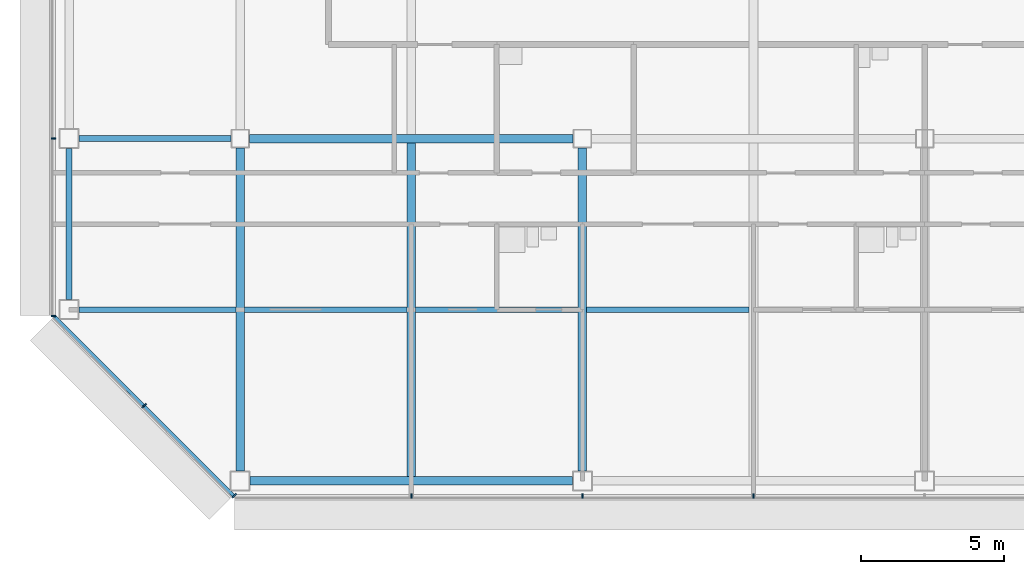
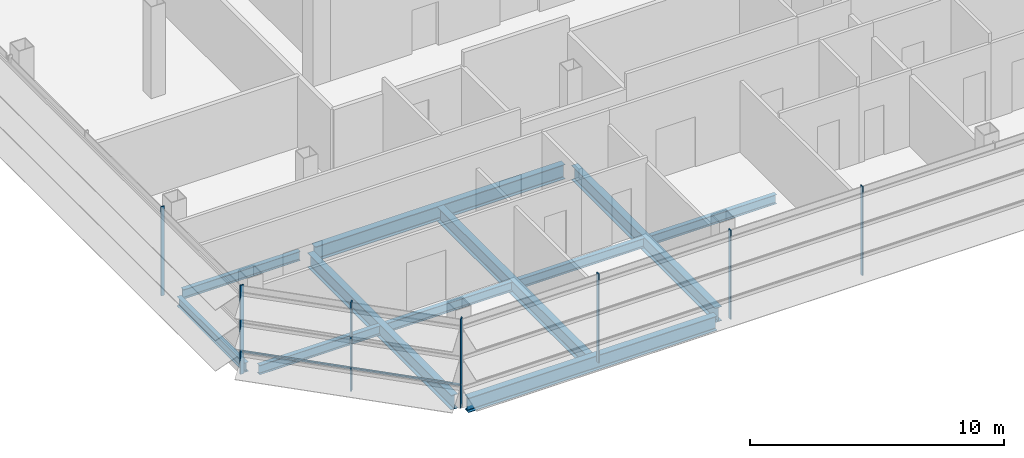
# One storey, part 2 of 26: 11 beams, 8 members, 3 elements without a shape of their own.
"""IFC4 building model written with IfcOpenShell, lengths in metres."""

from ifc_helpers import new_model, si_unit, direction, frame, origin, origin_2d, place, context, subcontext, project, spatial, rectangle, i_section, extrude, material, material_profile, profile_set, type_object, element, aggregate, save


model = new_model("IFC4")

# Units and contexts
model_context = context("Model", 3, precision=1e-05, world=origin(), true_north=direction((0.0, 1.0)))
body_context = subcontext(model_context, "Body", "Model", "MODEL_VIEW")
ifc_project = project(units=[si_unit("LENGTHUNIT", "METRE"), si_unit("AREAUNIT", "SQUARE_METRE"), si_unit("VOLUMEUNIT", "CUBIC_METRE"), si_unit("PLANEANGLEUNIT", "RADIAN"), si_unit("MASSUNIT", "GRAM", prefix="KILO")], contexts=[model_context])

# Site, building, storey
site_placement = place(None, origin())
site = spatial("IfcSite", under=ifc_project, at=site_placement, CompositionType="ELEMENT")
building_placement = place(site_placement, origin())
building = spatial("IfcBuilding", under=site, at=building_placement, Name="Sorahane Residences", CompositionType="ELEMENT")
storey_placement = place(building_placement, frame((0.0, 0.0, 181.60009765625)))
storey = spatial("IfcBuildingStorey", under=building, at=storey_placement, Name="L42", CompositionType="ELEMENT", Elevation=181.60009765625)

# Curtain wall, members
ifc_material_1 = material(Name="Dark low-e glass and black anodised aluminium", Category="aluminium")
curtain_wall_type_1 = type_object("IfcCurtainWallType", Name="Curtain wall CW-1 Typical unitised wall", PredefinedType="NOTDEFINED", material=ifc_material_1)
curtain_wall_1_placement = place(storey_placement, origin())
curtain_wall_1 = element("IfcCurtainWall", 1, at=curtain_wall_1_placement, inside=storey, type_object=curtain_wall_type_1, Name="CW-1 curtain wall L42 S1", PredefinedType="NOTDEFINED")
ifc_material_2 = material(Name="Black anodised aluminium", Category="aluminium")
ifc_material_profile_1 = material_profile(ifc_material_2, rectangle(XDim=0.159912109375, YDim=0.050048828125, at=origin_2d()), Name="Curtain wall mullion CW-1 black anodised aluminium 50x160")
ifc_profile_set_1 = profile_set([ifc_material_profile_1], Name="Black anodised aluminium")
member_type_1 = type_object("IfcMemberType", Name="Curtain wall mullion CW-1 black anodised aluminium 50x160", PredefinedType="MULLION", material=ifc_profile_set_1)
member_1_placement = place(storey_placement, frame((6.0, -0.5400390625, -0.18017578125), z_axis=(0.0, 0.0, 1.0), x_axis=(0.0, -1.0, 0.0)))
member_1 = element("IfcMember", 2, at=member_1_placement, type_object=member_type_1, Name="CW-1 mullion L42 S1.2", PredefinedType="MULLION", context=body_context, shape_type="SweptSolid", body=[
    extrude(rectangle(XDim=0.159912109375, YDim=0.050048828125, at=origin_2d()), origin(), (0.0, 0.0, 1.0), 4.280029296875),
])
member_2_placement = place(storey_placement, frame((12.0, -0.5400390625, -0.18017578125), z_axis=(0.0, 0.0, 1.0), x_axis=(0.0, -1.0, 0.0)))
member_2 = element("IfcMember", 3, at=member_2_placement, type_object=member_type_1, Name="CW-1 mullion L42 S1.3", PredefinedType="MULLION", context=body_context, shape_type="SweptSolid", body=[
    extrude(rectangle(XDim=0.159912109375, YDim=0.050048828125, at=origin_2d()), origin(), (0.0, 0.0, 1.0), 4.280029296875),
])
member_3_placement = place(storey_placement, frame((18.0, -0.5400390625, -0.18017578125), z_axis=(0.0, 0.0, 1.0), x_axis=(0.0, -1.0, 0.0)))
member_3 = element("IfcMember", 4, at=member_3_placement, type_object=member_type_1, Name="CW-1 mullion L42 S1.4", PredefinedType="MULLION", context=body_context, shape_type="SweptSolid", body=[
    extrude(rectangle(XDim=0.159912109375, YDim=0.050048828125, at=origin_2d()), origin(), (0.0, 0.0, 1.0), 4.280029296875),
])
aggregate(curtain_wall_1, [member_1, member_2, member_3])

curtain_wall_2_placement = place(storey_placement, origin())
curtain_wall_2 = element("IfcCurtainWall", 5, at=curtain_wall_2_placement, inside=storey, type_object=curtain_wall_type_1, Name="CW-1 curtain wall L42 W1", PredefinedType="NOTDEFINED")
member_4_placement = place(storey_placement, frame((-6.5400390625, 12.0, -0.18017578125), z_axis=(0.0, 0.0, 1.0), x_axis=(-1.0, 0.0, 0.0)))
member_4 = element("IfcMember", 6, at=member_4_placement, type_object=member_type_1, Name="CW-1 mullion L42 W1.6", PredefinedType="MULLION", context=body_context, shape_type="SweptSolid", body=[
    extrude(rectangle(XDim=0.159912109375, YDim=0.050048828125, at=origin_2d()), origin(), (0.0, 0.0, 1.0), 4.280029296875),
])
member_5_placement = place(storey_placement, frame((-6.5400390625, 5.7763671875, -0.18017578125), z_axis=(0.0, 0.0, 1.0), x_axis=(-1.0, 0.0, 0.0)))
member_5 = element("IfcMember", 7, at=member_5_placement, type_object=member_type_1, Name="CW-1 mullion L42 W1.7", PredefinedType="MULLION", context=body_context, shape_type="SweptSolid", body=[
    extrude(rectangle(XDim=0.159912109375, YDim=0.050048828125, at=origin_2d()), origin(), (0.0, 0.0, 1.0), 4.280029296875),
])
aggregate(curtain_wall_2, [member_4, member_5])

ifc_material_3 = material(Name="Dark low-e glass and black anodised aluminium", Category="aluminium")
curtain_wall_type_2 = type_object("IfcCurtainWallType", Name="Curtain wall CW-2 Chamfer unitised wall", PredefinedType="NOTDEFINED", material=ifc_material_3)
curtain_wall_3_placement = place(storey_placement, origin())
curtain_wall_3 = element("IfcCurtainWall", 8, at=curtain_wall_3_placement, inside=storey, type_object=curtain_wall_type_2, Name="CW-2 curtain wall L42 SW1", PredefinedType="NOTDEFINED")
ifc_material_4 = material(Name="Black anodised aluminium", Category="aluminium")
ifc_material_profile_2 = material_profile(ifc_material_4, rectangle(XDim=0.199951171875, YDim=0.050048828125, at=origin_2d()), Name="Curtain wall mullion CW-2 black anodised aluminium 50x200")
ifc_profile_set_2 = profile_set([ifc_material_profile_2], Name="Black anodised aluminium")
member_type_2 = type_object("IfcMemberType", Name="Curtain wall mullion CW-2 black anodised aluminium 50x200", PredefinedType="MULLION", material=ifc_profile_set_2)
member_6_placement = place(storey_placement, frame((-3.36767578125, 2.63232421875, -0.18017578125), z_axis=(0.0, 0.0, 1.0), x_axis=(-0.707106781187, -0.707106781187, 0.0)))
member_6 = element("IfcMember", 9, at=member_6_placement, type_object=member_type_2, Name="CW-2 mullion L42 SW1.2", PredefinedType="MULLION", context=body_context, shape_type="SweptSolid", body=[
    extrude(rectangle(XDim=0.199951171875, YDim=0.050048828125, at=origin_2d()), origin(), (0.0, 0.0, 1.0), 4.280029296875),
])
member_7_placement = place(storey_placement, frame((-0.209716796875, -0.525634765625, -0.18017578125), z_axis=(0.0, 0.0, 1.0), x_axis=(-0.707106781187, -0.707106781187, 0.0)))
member_7 = element("IfcMember", 10, at=member_7_placement, type_object=member_type_2, Name="CW-2 mullion L42 SW1.3", PredefinedType="MULLION", context=body_context, shape_type="SweptSolid", body=[
    extrude(rectangle(XDim=0.199951171875, YDim=0.050048828125, at=origin_2d()), origin(), (0.0, 0.0, 1.0), 4.280029296875),
])
ifc_material_5 = material(Name="Black anodised aluminium", Category="aluminium")
ifc_material_profile_3 = material_profile(ifc_material_5, rectangle(XDim=0.10009765625, YDim=0.06005859375, at=origin_2d()), Name="Curtain wall transom CW-2 black anodised aluminium 60x100")
ifc_profile_set_3 = profile_set([ifc_material_profile_3], Name="Black anodised aluminium")
member_type_3 = type_object("IfcMemberType", Name="Curtain wall transom CW-2 black anodised aluminium 60x100", PredefinedType="USERDEFINED", material=ifc_profile_set_3)
member_8_placement = place(storey_placement, frame((-6.51513671875, 5.765625, 0.89990234375), z_axis=(0.707106781187, -0.707106781187, 0.0), x_axis=(0.707106781187, 0.707106781187, 0.0)))
member_8 = element("IfcMember", 11, at=member_8_placement, type_object=member_type_3, Name="CW-2 transom L42 SW1", ObjectType="TRANSOM", PredefinedType="USERDEFINED", context=body_context, shape_type="SweptSolid", body=[
    extrude(rectangle(XDim=0.10009765625, YDim=0.06005859375, at=origin_2d()), origin(), (0.0, 0.0, 1.0), 8.88232421875),
])
aggregate(curtain_wall_3, [member_6, member_7, member_8])

# Beams
ifc_material_6 = material(Name="Steel Q355B", Category="steel")
ifc_material_profile_4 = material_profile(ifc_material_6, i_section(OverallWidth=0.199951171875, OverallDepth=0.449951171875, WebThickness=0.009033203125, FlangeThickness=0.013916015625, FilletRadius=0.02001953125, at=origin_2d()), Name="HN 450x200x9x14")
ifc_profile_set_4 = profile_set([ifc_material_profile_4], Name="Steel Q355B")
beam_type_1 = type_object("IfcBeamType", Name="Steel floor beam HN 450x200x9x14 Q355B", PredefinedType="BEAM", material=ifc_profile_set_4)
beam_1_placement = place(storey_placement, frame((-5.64990234375, 12.0, -0.405029296875), z_axis=(1.0, 0.0, 0.0), x_axis=(0.0, 1.0, 0.0)))
element("IfcBeam", 12, at=beam_1_placement, inside=storey, type_object=beam_type_1, Name="Beam L42 005", PredefinedType="BEAM", context=body_context, shape_type="SweptSolid", body=[
    extrude(i_section(OverallWidth=0.199951171875, OverallDepth=0.449951171875, WebThickness=0.009033203125, FlangeThickness=0.013916015625, FilletRadius=0.02001953125, at=origin_2d()), origin(), (0.0, 0.0, 1.0), 5.324951171875),
])
beam_2_placement = place(storey_placement, frame((-6.0, 6.35009765625, -0.405029296875), z_axis=(0.0, 1.0, 0.0), x_axis=(-1.0, 0.0, 0.0)))
element("IfcBeam", 13, at=beam_2_placement, inside=storey, type_object=beam_type_1, Name="Beam L42 020", PredefinedType="BEAM", context=body_context, shape_type="SweptSolid", body=[
    extrude(i_section(OverallWidth=0.199951171875, OverallDepth=0.449951171875, WebThickness=0.009033203125, FlangeThickness=0.013916015625, FilletRadius=0.02001953125, at=origin_2d()), origin(), (0.0, 0.0, 1.0), 5.2998046875),
])
beam_3_placement = place(storey_placement, frame((-5.64990234375, 6.0, -0.405029296875), z_axis=(1.0, 0.0, 0.0), x_axis=(0.0, 1.0, 0.0)))
element("IfcBeam", 14, at=beam_3_placement, inside=storey, type_object=beam_type_1, Name="Beam L42 068", PredefinedType="BEAM", context=body_context, shape_type="SweptSolid", body=[
    extrude(i_section(OverallWidth=0.199951171875, OverallDepth=0.449951171875, WebThickness=0.009033203125, FlangeThickness=0.013916015625, FilletRadius=0.02001953125, at=origin_2d()), origin(), (0.0, 0.0, 1.0), 5.5),
])
for number, where, z_axis, x_axis, name in (
    (15, (0.14990234375, 6.0, -0.405029296875), (1.0, 0.0, 0.0), (0.0, 1.0, 0.0), "Beam L42 069"),
    (16, (6.14990234375, 6.0, -0.405029296875), (1.0, 0.0, 0.0), (0.0, 1.0, 0.0), "Beam L42 070"),
    (17, (12.14990234375, 6.0, -0.405029296875), (1.0, 0.0, 0.0), (0.0, 1.0, 0.0), "Beam L42 071"),
):
    element("IfcBeam", number, at=place(storey_placement, frame(where, z_axis=z_axis, x_axis=x_axis)), inside=storey, type_object=beam_type_1, Name=name, PredefinedType="BEAM", context=body_context, shape_type="SweptSolid", body=[
        extrude(i_section(OverallWidth=0.199951171875, OverallDepth=0.449951171875, WebThickness=0.009033203125, FlangeThickness=0.013916015625, FilletRadius=0.02001953125, at=origin_2d()), origin(), (0.0, 0.0, 1.0), 5.7001953125),
    ])
ifc_material_7 = material(Name="Steel Q355B", Category="steel")
ifc_material_profile_5 = material_profile(ifc_material_7, i_section(OverallWidth=0.300048828125, OverallDepth=0.699951171875, WebThickness=0.012939453125, FlangeThickness=0.02392578125, FilletRadius=0.028076171875, at=origin_2d()), Name="HN 700x300x13x24")
ifc_profile_set_5 = profile_set([ifc_material_profile_5], Name="Steel Q355B")
beam_type_2 = type_object("IfcBeamType", Name="Steel floor beam HN 700x300x13x24 Q355B", PredefinedType="BEAM", material=ifc_profile_set_5)
beam_4_placement = place(storey_placement, frame((0.35009765625, 0.0, -0.530029296875), z_axis=(1.0, 0.0, 0.0), x_axis=(0.0, 1.0, 0.0)))
element("IfcBeam", 18, at=beam_4_placement, inside=storey, type_object=beam_type_2, Name="Beam L42 000", PredefinedType="BEAM", context=body_context, shape_type="SweptSolid", body=[
    extrude(i_section(OverallWidth=0.300048828125, OverallDepth=0.699951171875, WebThickness=0.012939453125, FlangeThickness=0.02392578125, FilletRadius=0.028076171875, at=origin_2d()), origin(), (0.0, 0.0, 1.0), 11.2998046875),
])
beam_5_placement = place(storey_placement, frame((0.324951171875, 12.0, -0.530029296875), z_axis=(1.0, 0.0, 0.0), x_axis=(0.0, 1.0, 0.0)))
element("IfcBeam", 19, at=beam_5_placement, inside=storey, type_object=beam_type_2, Name="Beam L42 006", PredefinedType="BEAM", context=body_context, shape_type="SweptSolid", body=[
    extrude(i_section(OverallWidth=0.300048828125, OverallDepth=0.699951171875, WebThickness=0.012939453125, FlangeThickness=0.02392578125, FilletRadius=0.028076171875, at=origin_2d()), origin(), (0.0, 0.0, 1.0), 11.35009765625),
])
beam_6_placement = place(storey_placement, frame((0.0, 0.35009765625, -0.530029296875), z_axis=(0.0, 1.0, 0.0), x_axis=(-1.0, 0.0, 0.0)))
element("IfcBeam", 20, at=beam_6_placement, inside=storey, type_object=beam_type_2, Name="Beam L42 024", PredefinedType="BEAM", context=body_context, shape_type="SweptSolid", body=[
    extrude(i_section(OverallWidth=0.300048828125, OverallDepth=0.699951171875, WebThickness=0.012939453125, FlangeThickness=0.02392578125, FilletRadius=0.028076171875, at=origin_2d()), origin(), (0.0, 0.0, 1.0), 11.324951171875),
])
beam_7_placement = place(storey_placement, frame((6.0, 0.14990234375, -0.530029296875), z_axis=(0.0, 1.0, 0.0), x_axis=(-1.0, 0.0, 0.0)))
element("IfcBeam", 21, at=beam_7_placement, inside=storey, type_object=beam_type_2, Name="Beam L42 028", PredefinedType="BEAM", context=body_context, shape_type="SweptSolid", body=[
    extrude(i_section(OverallWidth=0.300048828125, OverallDepth=0.699951171875, WebThickness=0.012939453125, FlangeThickness=0.02392578125, FilletRadius=0.028076171875, at=origin_2d()), origin(), (0.0, 0.0, 1.0), 11.7001953125),
])
beam_8_placement = place(storey_placement, frame((12.0, 0.35009765625, -0.530029296875), z_axis=(0.0, 1.0, 0.0), x_axis=(-1.0, 0.0, 0.0)))
element("IfcBeam", 22, at=beam_8_placement, inside=storey, type_object=beam_type_2, Name="Beam L42 034", PredefinedType="BEAM", context=body_context, shape_type="SweptSolid", body=[
    extrude(i_section(OverallWidth=0.300048828125, OverallDepth=0.699951171875, WebThickness=0.012939453125, FlangeThickness=0.02392578125, FilletRadius=0.028076171875, at=origin_2d()), origin(), (0.0, 0.0, 1.0), 11.324951171875),
])

save(model, "model.ifc")
